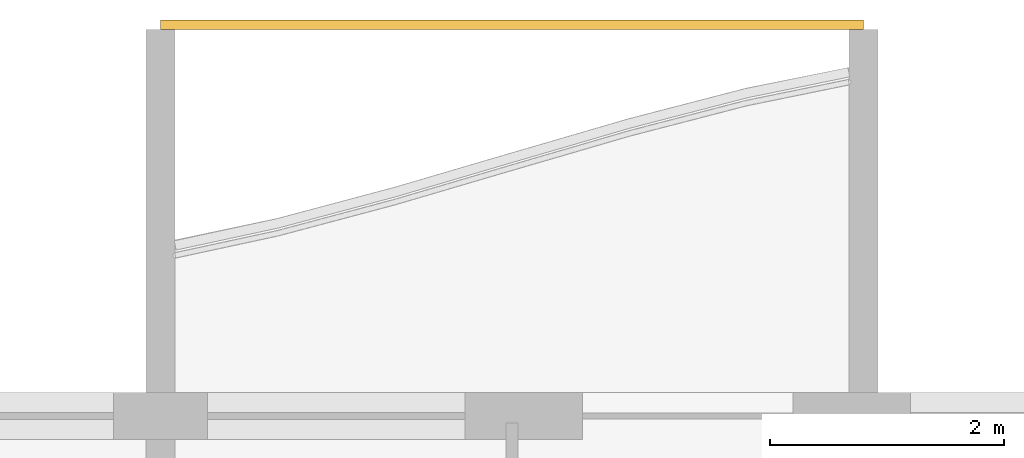
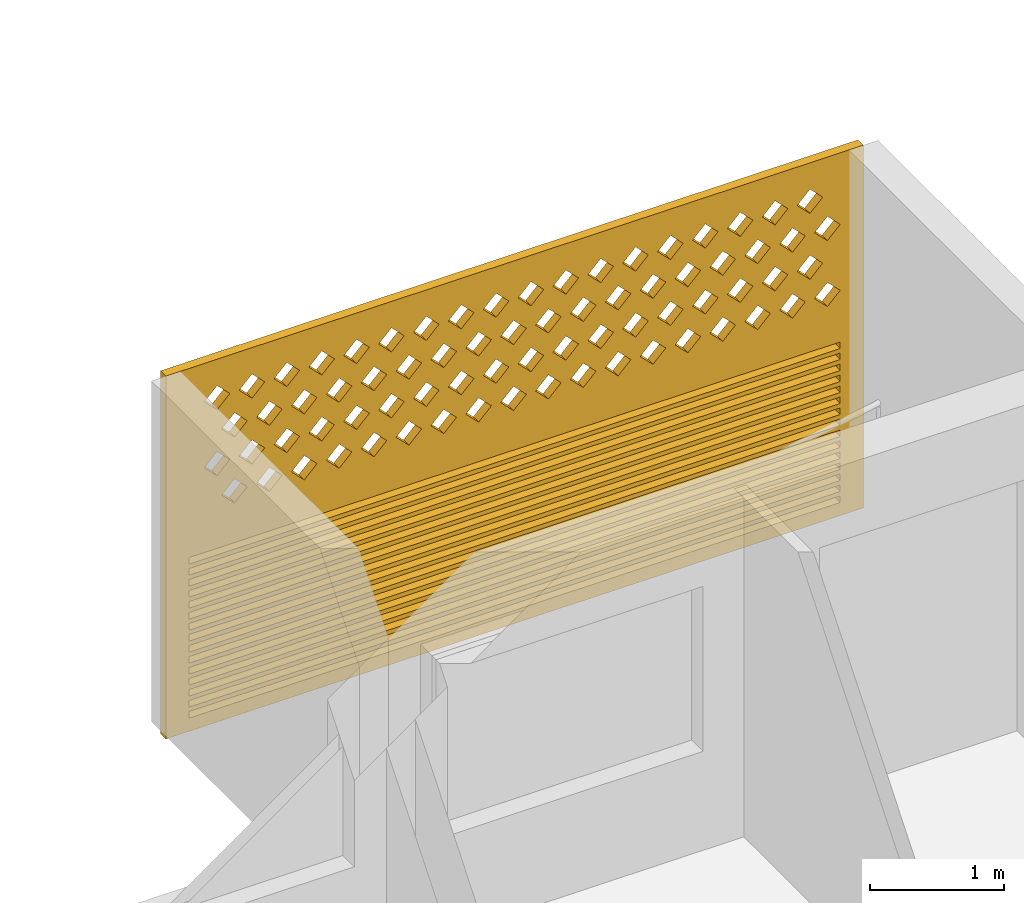
# One storey, part 23 of 27: 1 covering.
"""IFC4 building model written with IfcOpenShell, lengths in metres."""

import ifcopenshell
import ifcopenshell.guid

model = None  # the IFC model being written
_history = None  # IfcOwnerHistory: only IFC2X3 demands one
_inside = {}  # id of a spatial element -> (the spatial element, [elements in it])
_under = {}  # id of a project, library or spatial element -> (it, [spatial elements below it])
_declared = {}  # id of a project -> (the project, [libraries it declares])
_typed = {}  # id of a type object -> (the type object, [elements of that type])
_made_of = {}  # id of a material, layer set ... -> (it, [elements and type objects made of it])


def new_model(schema):
    """Start an empty IFC model of exactly this schema.

    Asked for "IFC4X3", IfcOpenShell would pick the latest addendum, in which some entities
    have other attributes; the version numbers below select the first issue.
    IFC2X3 requires an IfcOwnerHistory on every rooted entity: one is made here for all.
    """
    global model, _history
    if schema == "IFC4X3":
        model = ifcopenshell.file(schema_version=(4, 3, 0, 0))
    else:
        model = ifcopenshell.file(schema=schema)
    _inside.clear()
    _under.clear()
    _declared.clear()
    _typed.clear()
    _made_of.clear()
    _history = None
    if model.schema == "IFC2X3":
        org = make("IfcOrganization", Name="unknown")
        user = make(
            "IfcPersonAndOrganization",
            ThePerson=make("IfcPerson", FamilyName="unknown"),
            TheOrganization=org,
        )
        app = make(
            "IfcApplication",
            ApplicationDeveloper=org,
            Version="unknown",
            ApplicationFullName="unknown",
            ApplicationIdentifier="unknown",
        )
        _history = make(
            "IfcOwnerHistory",
            OwningUser=user,
            OwningApplication=app,
            ChangeAction="ADDED",
            CreationDate=0,
        )
    return model


def make(cls, **values):
    """One entity of the class cls with the attributes given. An attribute that is None is left unset."""
    return model.create_entity(
        cls, **{name: value for name, value in values.items() if value is not None}
    )


def rooted(cls, **values):
    """An entity with a GlobalId (a new one), such as an element, a storey or a relation."""
    return make(cls, GlobalId=ifcopenshell.guid.new(), OwnerHistory=_history, **values)


def si_unit(unit_type, name, prefix=None):
    """IfcSIUnit, for example si_unit("LENGTHUNIT", "METRE", prefix="MILLI")."""
    return make("IfcSIUnit", UnitType=unit_type, Prefix=prefix, Name=name)


def assignment(units):
    """IfcUnitAssignment: the units of a project."""
    return None if units is None else make("IfcUnitAssignment", Units=units)


def point(xyz):
    """IfcCartesianPoint."""
    return None if xyz is None else make("IfcCartesianPoint", Coordinates=xyz)


def direction(xyz):
    """IfcDirection."""
    return None if xyz is None else make("IfcDirection", DirectionRatios=xyz)


def frame(location, z_axis=None, x_axis=None):
    """IfcAxis2Placement3D, a coordinate frame: its origin and axes. An axis left out is left unset."""
    return make(
        "IfcAxis2Placement3D",
        Location=point(location),
        Axis=direction(z_axis),
        RefDirection=direction(x_axis),
    )


def origin():
    """The frame at (0, 0, 0) with its axes left unset."""
    return frame((0.0, 0.0, 0.0))


def place(relative_to, where):
    """IfcLocalPlacement: puts the frame where relative to a parent placement (None: the world)."""
    return make(
        "IfcLocalPlacement", PlacementRelTo=relative_to, RelativePlacement=where
    )


def context(
    kind, dimensions, precision=None, world=None, true_north=None, identifier=None
):
    """IfcGeometricRepresentationContext, for example the 3D "Model" context."""
    return make(
        "IfcGeometricRepresentationContext",
        ContextIdentifier=identifier,
        ContextType=kind,
        CoordinateSpaceDimension=dimensions,
        Precision=precision,
        WorldCoordinateSystem=world,
        TrueNorth=true_north,
    )


def subcontext(parent, identifier, kind, view, scale=None):
    """IfcGeometricRepresentationSubContext, for example "Body" below "Model"."""
    return make(
        "IfcGeometricRepresentationSubContext",
        ContextIdentifier=identifier,
        ContextType=kind,
        ParentContext=parent,
        TargetScale=scale,
        TargetView=view,
    )


def project(units=None, contexts=None):
    """IfcProject with its units and contexts."""
    return rooted(
        "IfcProject",
        Name="project",
        RepresentationContexts=contexts,
        UnitsInContext=assignment(units),
    )


def spatial(cls, under=None, at=None, **own):
    """A site, building, storey or space (cls), placed at a placement, below another one or the project."""
    s = rooted(cls, ObjectPlacement=at, **own)
    if under is not None:
        _under.setdefault(under.id(), (under, []))[1].append(s)
    return s


def polyline(points):
    """IfcPolyline through the points."""
    return make("IfcPolyline", Points=[point(p) for p in points])


def outline(outer, holes=None, kind="AREA"):
    """IfcArbitraryClosedProfileDef: a profile drawn as a closed curve; with holes, ...WithVoids."""
    if holes is None:
        return make("IfcArbitraryClosedProfileDef", ProfileType=kind, OuterCurve=outer)
    return make(
        "IfcArbitraryProfileDefWithVoids",
        ProfileType=kind,
        OuterCurve=outer,
        InnerCurves=holes,
    )


def extrude(swept, where, along, depth):
    """IfcExtrudedAreaSolid: the profile swept, set in the frame where, extruded along a direction by depth."""
    return make(
        "IfcExtrudedAreaSolid",
        SweptArea=swept,
        Position=where,
        ExtrudedDirection=direction(along),
        Depth=depth,
    )


def shape(context_of_items, identifier, shape_type, items):
    """IfcShapeRepresentation: the items that make up one representation, for example the "Body"."""
    return make(
        "IfcShapeRepresentation",
        ContextOfItems=context_of_items,
        RepresentationIdentifier=identifier,
        RepresentationType=shape_type,
        Items=items,
    )


def source(mapping_origin, context_of_items, identifier, shape_type, items):
    """IfcRepresentationMap: a shape defined once, which mapped items show again and again."""
    return make(
        "IfcRepresentationMap",
        MappingOrigin=mapping_origin,
        MappedRepresentation=shape(context_of_items, identifier, shape_type, items),
    )


def transform(
    local_origin,
    x_axis=None,
    y_axis=None,
    z_axis=None,
    scale=None,
    scale2=None,
    scale3=None,
    uniform=True,
):
    """IfcCartesianTransformationOperator3D, or its non-uniform kind. x_axis, y_axis, z_axis: its Axis1, 2, 3."""
    if uniform:
        return make(
            "IfcCartesianTransformationOperator3D",
            Axis1=direction(x_axis),
            Axis2=direction(y_axis),
            LocalOrigin=point(local_origin),
            Scale=scale,
            Axis3=direction(z_axis),
        )
    return make(
        "IfcCartesianTransformationOperator3DnonUniform",
        Axis1=direction(x_axis),
        Axis2=direction(y_axis),
        LocalOrigin=point(local_origin),
        Scale=scale,
        Axis3=direction(z_axis),
        Scale2=scale2,
        Scale3=scale3,
    )


def mapped(mapping_source, mapping_target):
    """IfcMappedItem: shows the shape of a source again, moved by a transform."""
    return make(
        "IfcMappedItem", MappingSource=mapping_source, MappingTarget=mapping_target
    )


def material(Name=None, Category=None):
    """IfcMaterial."""
    return make("IfcMaterial", Name=Name, Category=Category)


def material_profile(
    of_material, cross_section, Name=None, Category=None, Priority=None
):
    """IfcMaterialProfile: a cross section and its material."""
    return make(
        "IfcMaterialProfile",
        Name=Name,
        Material=of_material,
        Profile=cross_section,
        Priority=Priority,
        Category=Category,
    )


def profile_set(profiles, Name=None, composite=None):
    """IfcMaterialProfileSet."""
    return make(
        "IfcMaterialProfileSet",
        Name=Name,
        MaterialProfiles=profiles,
        CompositeProfile=composite,
    )


def made_of(thing, what):
    """Note that an element or type object is made of a material, layer set ...; save() writes the relation."""
    if what is not None:
        _made_of.setdefault(what.id(), (what, []))[1].append(thing)
    return thing


def type_object(cls, material=None, **own):
    """A type object (cls), such as IfcWallType, which elements share."""
    return made_of(rooted(cls, **own), material)


def element(
    cls,
    number,
    at=None,
    inside=None,
    cuts=None,
    type_object=None,
    material=None,
    context=None,
    identifier="Body",
    shape_type=None,
    held_by="IfcProductDefinitionShape",
    body=None,
    shapes=None,
    **own,
):
    """One element of the class cls, such as IfcWall. Its Tag is "e" and its number.

    at: its placement. inside: the storey or other place that contains it. cuts: it is an
    opening in that element (IfcRelVoidsElement). A single representation is given by context,
    identifier, shape_type and body (its items); several are given by shapes. held_by: the class
    of the entity that holds the representations. save() writes the other relations.
    """
    e = rooted(cls, Tag="e%d" % number, ObjectPlacement=at, **own)
    if body is not None:
        shapes = [shape(context, identifier, shape_type, body)]
    if shapes is not None:
        e.Representation = make(held_by, Representations=shapes)
    if inside is not None:
        _inside.setdefault(inside.id(), (inside, []))[1].append(e)
    if cuts is not None:
        rooted(
            "IfcRelVoidsElement", RelatingBuildingElement=cuts, RelatedOpeningElement=e
        )
    if type_object is not None:
        _typed.setdefault(type_object.id(), (type_object, []))[1].append(e)
    return made_of(e, material)


def aggregate(whole, parts):
    """IfcRelAggregates: a whole, such as a stair, and the parts it consists of."""
    return rooted("IfcRelAggregates", RelatingObject=whole, RelatedObjects=parts)


def save(model, path):
    """Write the relations noted so far, then the file.

    IfcRelAggregates (storeys below a building ...), IfcRelContainedInSpatialStructure (elements
    in a storey), IfcRelDefinesByType, IfcRelAssociatesMaterial and IfcRelDeclares: one each for
    every whole, place, type object, material and project.
    """
    for whole, parts in _under.values():
        aggregate(whole, parts)
    for where, things in _inside.values():
        rooted(
            "IfcRelContainedInSpatialStructure",
            RelatedElements=things,
            RelatingStructure=where,
        )
    for kind, things in _typed.values():
        rooted("IfcRelDefinesByType", RelatedObjects=things, RelatingType=kind)
    for what, things in _made_of.values():
        rooted("IfcRelAssociatesMaterial", RelatedObjects=things, RelatingMaterial=what)
    for by, libraries in _declared.values():
        rooted("IfcRelDeclares", RelatingContext=by, RelatedDefinitions=libraries)
    model.write(path)


model = new_model("IFC4")

# Units and contexts
model_context = context("Model", 3, precision=1e-05, world=origin(), true_north=direction((0.0, 1.0)))
body_context = subcontext(model_context, "Body", "Model", "MODEL_VIEW")
ifc_project = project(units=[si_unit("LENGTHUNIT", "METRE"), si_unit("AREAUNIT", "SQUARE_METRE"), si_unit("VOLUMEUNIT", "CUBIC_METRE"), si_unit("PLANEANGLEUNIT", "RADIAN"), si_unit("MASSUNIT", "GRAM", prefix="KILO")], contexts=[model_context])

# Site, building, storey
site_placement = place(None, origin())
site = spatial("IfcSite", under=ifc_project, at=site_placement, CompositionType="ELEMENT")
building_placement = place(site_placement, origin())
building = spatial("IfcBuilding", under=site, at=building_placement, Name="Poui Terraces", CompositionType="ELEMENT")
storey_placement = place(building_placement, frame((0.0, 0.0, 204.89990234375)))
storey = spatial("IfcBuildingStorey", under=building, at=storey_placement, Name="L57", CompositionType="ELEMENT", Elevation=204.89990234375)

# Covering
ifc_material = material(Name="Terracotta screen", Category="masonry")
ifc_material_profile = material_profile(ifc_material, outline(polyline([(-3.0, -1.64990234375), (3.0, -1.64990234375), (3.0, 1.64990234375), (-3.0, 1.64990234375), (-3.0, -1.64990234375)]), holes=[polyline([(-2.800048828125, 0.39990234375), (-2.68994140625, 0.2900390625), (-2.580078125, 0.39990234375), (-2.68994140625, 0.510009765625), (-2.800048828125, 0.39990234375)]), polyline([(-2.5, 0.39990234375), (-2.389892578125, 0.2900390625), (-2.280029296875, 0.39990234375), (-2.389892578125, 0.510009765625), (-2.5, 0.39990234375)]), polyline([(-2.199951171875, 0.39990234375), (-2.090087890625, 0.2900390625), (-1.97998046875, 0.39990234375), (-2.090087890625, 0.510009765625), (-2.199951171875, 0.39990234375)]), polyline([(-1.89990234375, 0.39990234375), (-1.7900390625, 0.2900390625), (-1.679931640625, 0.39990234375), (-1.7900390625, 0.510009765625), (-1.89990234375, 0.39990234375)]), polyline([(-1.60009765625, 0.39990234375), (-1.489990234375, 0.2900390625), (-1.3798828125, 0.39990234375), (-1.489990234375, 0.510009765625), (-1.60009765625, 0.39990234375)]), polyline([(-1.300048828125, 0.39990234375), (-1.18994140625, 0.2900390625), (-1.080078125, 0.39990234375), (-1.18994140625, 0.510009765625), (-1.300048828125, 0.39990234375)]), polyline([(-1.0, 0.39990234375), (-0.889892578125, 0.2900390625), (-0.780029296875, 0.39990234375), (-0.889892578125, 0.510009765625), (-1.0, 0.39990234375)]), polyline([(-0.699951171875, 0.39990234375), (-0.590087890625, 0.2900390625), (-0.47998046875, 0.39990234375), (-0.590087890625, 0.510009765625), (-0.699951171875, 0.39990234375)]), polyline([(-0.39990234375, 0.39990234375), (-0.2900390625, 0.2900390625), (-0.179931640625, 0.39990234375), (-0.2900390625, 0.510009765625), (-0.39990234375, 0.39990234375)]), polyline([(-0.10009765625, 0.39990234375), (0.010009765625, 0.2900390625), (0.1201171875, 0.39990234375), (0.010009765625, 0.510009765625), (-0.10009765625, 0.39990234375)]), polyline([(0.199951171875, 0.39990234375), (0.31005859375, 0.2900390625), (0.419921875, 0.39990234375), (0.31005859375, 0.510009765625), (0.199951171875, 0.39990234375)]), polyline([(0.5, 0.39990234375), (0.610107421875, 0.2900390625), (0.719970703125, 0.39990234375), (0.610107421875, 0.510009765625), (0.5, 0.39990234375)]), polyline([(0.800048828125, 0.39990234375), (0.909912109375, 0.2900390625), (1.02001953125, 0.39990234375), (0.909912109375, 0.510009765625), (0.800048828125, 0.39990234375)]), polyline([(1.10009765625, 0.39990234375), (1.2099609375, 0.2900390625), (1.320068359375, 0.39990234375), (1.2099609375, 0.510009765625), (1.10009765625, 0.39990234375)]), polyline([(1.39990234375, 0.39990234375), (1.510009765625, 0.2900390625), (1.6201171875, 0.39990234375), (1.510009765625, 0.510009765625), (1.39990234375, 0.39990234375)]), polyline([(1.699951171875, 0.39990234375), (1.81005859375, 0.2900390625), (1.919921875, 0.39990234375), (1.81005859375, 0.510009765625), (1.699951171875, 0.39990234375)]), polyline([(2.0, 0.39990234375), (2.110107421875, 0.2900390625), (2.219970703125, 0.39990234375), (2.110107421875, 0.510009765625), (2.0, 0.39990234375)]), polyline([(2.300048828125, 0.39990234375), (2.409912109375, 0.2900390625), (2.52001953125, 0.39990234375), (2.409912109375, 0.510009765625), (2.300048828125, 0.39990234375)]), polyline([(-2.64990234375, 0.699951171875), (-2.5400390625, 0.590087890625), (-2.429931640625, 0.699951171875), (-2.5400390625, 0.81005859375), (-2.64990234375, 0.699951171875)]), polyline([(-2.35009765625, 0.699951171875), (-2.239990234375, 0.590087890625), (-2.1298828125, 0.699951171875), (-2.239990234375, 0.81005859375), (-2.35009765625, 0.699951171875)]), polyline([(-2.050048828125, 0.699951171875), (-1.93994140625, 0.590087890625), (-1.830078125, 0.699951171875), (-1.93994140625, 0.81005859375), (-2.050048828125, 0.699951171875)]), polyline([(-1.75, 0.699951171875), (-1.639892578125, 0.590087890625), (-1.530029296875, 0.699951171875), (-1.639892578125, 0.81005859375), (-1.75, 0.699951171875)]), polyline([(-1.449951171875, 0.699951171875), (-1.340087890625, 0.590087890625), (-1.22998046875, 0.699951171875), (-1.340087890625, 0.81005859375), (-1.449951171875, 0.699951171875)]), polyline([(-1.14990234375, 0.699951171875), (-1.0400390625, 0.590087890625), (-0.929931640625, 0.699951171875), (-1.0400390625, 0.81005859375), (-1.14990234375, 0.699951171875)]), polyline([(-0.85009765625, 0.699951171875), (-0.739990234375, 0.590087890625), (-0.6298828125, 0.699951171875), (-0.739990234375, 0.81005859375), (-0.85009765625, 0.699951171875)]), polyline([(-0.550048828125, 0.699951171875), (-0.43994140625, 0.590087890625), (-0.330078125, 0.699951171875), (-0.43994140625, 0.81005859375), (-0.550048828125, 0.699951171875)]), polyline([(-0.25, 0.699951171875), (-0.139892578125, 0.590087890625), (-0.030029296875, 0.699951171875), (-0.139892578125, 0.81005859375), (-0.25, 0.699951171875)]), polyline([(0.050048828125, 0.699951171875), (0.159912109375, 0.590087890625), (0.27001953125, 0.699951171875), (0.159912109375, 0.81005859375), (0.050048828125, 0.699951171875)]), polyline([(0.35009765625, 0.699951171875), (0.4599609375, 0.590087890625), (0.570068359375, 0.699951171875), (0.4599609375, 0.81005859375), (0.35009765625, 0.699951171875)]), polyline([(0.64990234375, 0.699951171875), (0.760009765625, 0.590087890625), (0.8701171875, 0.699951171875), (0.760009765625, 0.81005859375), (0.64990234375, 0.699951171875)]), polyline([(0.949951171875, 0.699951171875), (1.06005859375, 0.590087890625), (1.169921875, 0.699951171875), (1.06005859375, 0.81005859375), (0.949951171875, 0.699951171875)]), polyline([(1.25, 0.699951171875), (1.360107421875, 0.590087890625), (1.469970703125, 0.699951171875), (1.360107421875, 0.81005859375), (1.25, 0.699951171875)]), polyline([(1.550048828125, 0.699951171875), (1.659912109375, 0.590087890625), (1.77001953125, 0.699951171875), (1.659912109375, 0.81005859375), (1.550048828125, 0.699951171875)]), polyline([(1.85009765625, 0.699951171875), (1.9599609375, 0.590087890625), (2.070068359375, 0.699951171875), (1.9599609375, 0.81005859375), (1.85009765625, 0.699951171875)]), polyline([(2.14990234375, 0.699951171875), (2.260009765625, 0.590087890625), (2.3701171875, 0.699951171875), (2.260009765625, 0.81005859375), (2.14990234375, 0.699951171875)]), polyline([(2.449951171875, 0.699951171875), (2.56005859375, 0.590087890625), (2.669921875, 0.699951171875), (2.56005859375, 0.81005859375), (2.449951171875, 0.699951171875)]), polyline([(-2.800048828125, 1.0), (-2.68994140625, 0.889892578125), (-2.580078125, 1.0), (-2.68994140625, 1.110107421875), (-2.800048828125, 1.0)]), polyline([(-2.5, 1.0), (-2.389892578125, 0.889892578125), (-2.280029296875, 1.0), (-2.389892578125, 1.110107421875), (-2.5, 1.0)]), polyline([(-2.199951171875, 1.0), (-2.090087890625, 0.889892578125), (-1.97998046875, 1.0), (-2.090087890625, 1.110107421875), (-2.199951171875, 1.0)]), polyline([(-1.89990234375, 1.0), (-1.7900390625, 0.889892578125), (-1.679931640625, 1.0), (-1.7900390625, 1.110107421875), (-1.89990234375, 1.0)]), polyline([(-1.60009765625, 1.0), (-1.489990234375, 0.889892578125), (-1.3798828125, 1.0), (-1.489990234375, 1.110107421875), (-1.60009765625, 1.0)]), polyline([(-1.300048828125, 1.0), (-1.18994140625, 0.889892578125), (-1.080078125, 1.0), (-1.18994140625, 1.110107421875), (-1.300048828125, 1.0)]), polyline([(-1.0, 1.0), (-0.889892578125, 0.889892578125), (-0.780029296875, 1.0), (-0.889892578125, 1.110107421875), (-1.0, 1.0)]), polyline([(-0.699951171875, 1.0), (-0.590087890625, 0.889892578125), (-0.47998046875, 1.0), (-0.590087890625, 1.110107421875), (-0.699951171875, 1.0)]), polyline([(-0.39990234375, 1.0), (-0.2900390625, 0.889892578125), (-0.179931640625, 1.0), (-0.2900390625, 1.110107421875), (-0.39990234375, 1.0)]), polyline([(-0.10009765625, 1.0), (0.010009765625, 0.889892578125), (0.1201171875, 1.0), (0.010009765625, 1.110107421875), (-0.10009765625, 1.0)]), polyline([(0.199951171875, 1.0), (0.31005859375, 0.889892578125), (0.419921875, 1.0), (0.31005859375, 1.110107421875), (0.199951171875, 1.0)]), polyline([(0.5, 1.0), (0.610107421875, 0.889892578125), (0.719970703125, 1.0), (0.610107421875, 1.110107421875), (0.5, 1.0)]), polyline([(0.800048828125, 1.0), (0.909912109375, 0.889892578125), (1.02001953125, 1.0), (0.909912109375, 1.110107421875), (0.800048828125, 1.0)]), polyline([(1.10009765625, 1.0), (1.2099609375, 0.889892578125), (1.320068359375, 1.0), (1.2099609375, 1.110107421875), (1.10009765625, 1.0)]), polyline([(1.39990234375, 1.0), (1.510009765625, 0.889892578125), (1.6201171875, 1.0), (1.510009765625, 1.110107421875), (1.39990234375, 1.0)]), polyline([(1.699951171875, 1.0), (1.81005859375, 0.889892578125), (1.919921875, 1.0), (1.81005859375, 1.110107421875), (1.699951171875, 1.0)]), polyline([(2.0, 1.0), (2.110107421875, 0.889892578125), (2.219970703125, 1.0), (2.110107421875, 1.110107421875), (2.0, 1.0)]), polyline([(2.300048828125, 1.0), (2.409912109375, 0.889892578125), (2.52001953125, 1.0), (2.409912109375, 1.110107421875), (2.300048828125, 1.0)]), polyline([(-2.64990234375, 1.300048828125), (-2.5400390625, 1.18994140625), (-2.429931640625, 1.300048828125), (-2.5400390625, 1.409912109375), (-2.64990234375, 1.300048828125)]), polyline([(-2.35009765625, 1.300048828125), (-2.239990234375, 1.18994140625), (-2.1298828125, 1.300048828125), (-2.239990234375, 1.409912109375), (-2.35009765625, 1.300048828125)]), polyline([(-2.050048828125, 1.300048828125), (-1.93994140625, 1.18994140625), (-1.830078125, 1.300048828125), (-1.93994140625, 1.409912109375), (-2.050048828125, 1.300048828125)]), polyline([(-1.75, 1.300048828125), (-1.639892578125, 1.18994140625), (-1.530029296875, 1.300048828125), (-1.639892578125, 1.409912109375), (-1.75, 1.300048828125)]), polyline([(-1.449951171875, 1.300048828125), (-1.340087890625, 1.18994140625), (-1.22998046875, 1.300048828125), (-1.340087890625, 1.409912109375), (-1.449951171875, 1.300048828125)]), polyline([(-1.14990234375, 1.300048828125), (-1.0400390625, 1.18994140625), (-0.929931640625, 1.300048828125), (-1.0400390625, 1.409912109375), (-1.14990234375, 1.300048828125)]), polyline([(-0.85009765625, 1.300048828125), (-0.739990234375, 1.18994140625), (-0.6298828125, 1.300048828125), (-0.739990234375, 1.409912109375), (-0.85009765625, 1.300048828125)]), polyline([(-0.550048828125, 1.300048828125), (-0.43994140625, 1.18994140625), (-0.330078125, 1.300048828125), (-0.43994140625, 1.409912109375), (-0.550048828125, 1.300048828125)]), polyline([(-0.25, 1.300048828125), (-0.139892578125, 1.18994140625), (-0.030029296875, 1.300048828125), (-0.139892578125, 1.409912109375), (-0.25, 1.300048828125)]), polyline([(0.050048828125, 1.300048828125), (0.159912109375, 1.18994140625), (0.27001953125, 1.300048828125), (0.159912109375, 1.409912109375), (0.050048828125, 1.300048828125)]), polyline([(0.35009765625, 1.300048828125), (0.4599609375, 1.18994140625), (0.570068359375, 1.300048828125), (0.4599609375, 1.409912109375), (0.35009765625, 1.300048828125)]), polyline([(0.64990234375, 1.300048828125), (0.760009765625, 1.18994140625), (0.8701171875, 1.300048828125), (0.760009765625, 1.409912109375), (0.64990234375, 1.300048828125)]), polyline([(0.949951171875, 1.300048828125), (1.06005859375, 1.18994140625), (1.169921875, 1.300048828125), (1.06005859375, 1.409912109375), (0.949951171875, 1.300048828125)]), polyline([(1.25, 1.300048828125), (1.360107421875, 1.18994140625), (1.469970703125, 1.300048828125), (1.360107421875, 1.409912109375), (1.25, 1.300048828125)]), polyline([(1.550048828125, 1.300048828125), (1.659912109375, 1.18994140625), (1.77001953125, 1.300048828125), (1.659912109375, 1.409912109375), (1.550048828125, 1.300048828125)]), polyline([(1.85009765625, 1.300048828125), (1.9599609375, 1.18994140625), (2.070068359375, 1.300048828125), (1.9599609375, 1.409912109375), (1.85009765625, 1.300048828125)]), polyline([(2.14990234375, 1.300048828125), (2.260009765625, 1.18994140625), (2.3701171875, 1.300048828125), (2.260009765625, 1.409912109375), (2.14990234375, 1.300048828125)]), polyline([(2.449951171875, 1.300048828125), (2.56005859375, 1.18994140625), (2.669921875, 1.300048828125), (2.56005859375, 1.409912109375), (2.449951171875, 1.300048828125)]), polyline([(-2.800048828125, -1.530029296875), (2.800048828125, -1.530029296875), (2.800048828125, -1.469970703125), (-2.800048828125, -1.469970703125), (-2.800048828125, -1.530029296875)]), polyline([(-2.800048828125, -1.429931640625), (2.800048828125, -1.429931640625), (2.800048828125, -1.3701171875), (-2.800048828125, -1.3701171875), (-2.800048828125, -1.429931640625)]), polyline([(-2.800048828125, -1.330078125), (2.800048828125, -1.330078125), (2.800048828125, -1.27001953125), (-2.800048828125, -1.27001953125), (-2.800048828125, -1.330078125)]), polyline([(-2.800048828125, -1.22998046875), (2.800048828125, -1.22998046875), (2.800048828125, -1.169921875), (-2.800048828125, -1.169921875), (-2.800048828125, -1.22998046875)]), polyline([(-2.800048828125, -1.1298828125), (2.800048828125, -1.1298828125), (2.800048828125, -1.070068359375), (-2.800048828125, -1.070068359375), (-2.800048828125, -1.1298828125)]), polyline([(-2.800048828125, -1.030029296875), (2.800048828125, -1.030029296875), (2.800048828125, -0.969970703125), (-2.800048828125, -0.969970703125), (-2.800048828125, -1.030029296875)]), polyline([(-2.800048828125, -0.929931640625), (2.800048828125, -0.929931640625), (2.800048828125, -0.8701171875), (-2.800048828125, -0.8701171875), (-2.800048828125, -0.929931640625)]), polyline([(-2.800048828125, -0.830078125), (2.800048828125, -0.830078125), (2.800048828125, -0.77001953125), (-2.800048828125, -0.77001953125), (-2.800048828125, -0.830078125)]), polyline([(-2.800048828125, -0.72998046875), (2.800048828125, -0.72998046875), (2.800048828125, -0.669921875), (-2.800048828125, -0.669921875), (-2.800048828125, -0.72998046875)]), polyline([(-2.800048828125, -0.6298828125), (2.800048828125, -0.6298828125), (2.800048828125, -0.570068359375), (-2.800048828125, -0.570068359375), (-2.800048828125, -0.6298828125)]), polyline([(-2.800048828125, -0.530029296875), (2.800048828125, -0.530029296875), (2.800048828125, -0.469970703125), (-2.800048828125, -0.469970703125), (-2.800048828125, -0.530029296875)]), polyline([(-2.800048828125, -0.429931640625), (2.800048828125, -0.429931640625), (2.800048828125, -0.3701171875), (-2.800048828125, -0.3701171875), (-2.800048828125, -0.429931640625)]), polyline([(-2.800048828125, -0.330078125), (2.800048828125, -0.330078125), (2.800048828125, -0.27001953125), (-2.800048828125, -0.27001953125), (-2.800048828125, -0.330078125)]), polyline([(-2.800048828125, -0.22998046875), (2.800048828125, -0.22998046875), (2.800048828125, -0.169921875), (-2.800048828125, -0.169921875), (-2.800048828125, -0.22998046875)]), polyline([(-2.800048828125, -0.1298828125), (2.800048828125, -0.1298828125), (2.800048828125, -0.070068359375), (-2.800048828125, -0.070068359375), (-2.800048828125, -0.1298828125)])]), Name="TERRACOTTA SCREEN AND JALOUSIE LOUVRE 6000X3300")
ifc_profile_set = profile_set([ifc_material_profile], Name="Terracotta screen")
covering_type = type_object("IfcCoveringType", Name="TERRACOTTA SCREEN AND JALOUSIE LOUVRE 6000X3300", PredefinedType="CLADDING", material=ifc_profile_set)
shared_shape = source(origin(), body_context, "Body", "SweptSolid", [
    extrude(outline(polyline([(-3.0, -1.64990234375), (3.0, -1.64990234375), (3.0, 1.64990234375), (-3.0, 1.64990234375), (-3.0, -1.64990234375)]), holes=[polyline([(-2.800048828125, 0.39990234375), (-2.68994140625, 0.2900390625), (-2.580078125, 0.39990234375), (-2.68994140625, 0.510009765625), (-2.800048828125, 0.39990234375)]), polyline([(-2.5, 0.39990234375), (-2.389892578125, 0.2900390625), (-2.280029296875, 0.39990234375), (-2.389892578125, 0.510009765625), (-2.5, 0.39990234375)]), polyline([(-2.199951171875, 0.39990234375), (-2.090087890625, 0.2900390625), (-1.97998046875, 0.39990234375), (-2.090087890625, 0.510009765625), (-2.199951171875, 0.39990234375)]), polyline([(-1.89990234375, 0.39990234375), (-1.7900390625, 0.2900390625), (-1.679931640625, 0.39990234375), (-1.7900390625, 0.510009765625), (-1.89990234375, 0.39990234375)]), polyline([(-1.60009765625, 0.39990234375), (-1.489990234375, 0.2900390625), (-1.3798828125, 0.39990234375), (-1.489990234375, 0.510009765625), (-1.60009765625, 0.39990234375)]), polyline([(-1.300048828125, 0.39990234375), (-1.18994140625, 0.2900390625), (-1.080078125, 0.39990234375), (-1.18994140625, 0.510009765625), (-1.300048828125, 0.39990234375)]), polyline([(-1.0, 0.39990234375), (-0.889892578125, 0.2900390625), (-0.780029296875, 0.39990234375), (-0.889892578125, 0.510009765625), (-1.0, 0.39990234375)]), polyline([(-0.699951171875, 0.39990234375), (-0.590087890625, 0.2900390625), (-0.47998046875, 0.39990234375), (-0.590087890625, 0.510009765625), (-0.699951171875, 0.39990234375)]), polyline([(-0.39990234375, 0.39990234375), (-0.2900390625, 0.2900390625), (-0.179931640625, 0.39990234375), (-0.2900390625, 0.510009765625), (-0.39990234375, 0.39990234375)]), polyline([(-0.10009765625, 0.39990234375), (0.010009765625, 0.2900390625), (0.1201171875, 0.39990234375), (0.010009765625, 0.510009765625), (-0.10009765625, 0.39990234375)]), polyline([(0.199951171875, 0.39990234375), (0.31005859375, 0.2900390625), (0.419921875, 0.39990234375), (0.31005859375, 0.510009765625), (0.199951171875, 0.39990234375)]), polyline([(0.5, 0.39990234375), (0.610107421875, 0.2900390625), (0.719970703125, 0.39990234375), (0.610107421875, 0.510009765625), (0.5, 0.39990234375)]), polyline([(0.800048828125, 0.39990234375), (0.909912109375, 0.2900390625), (1.02001953125, 0.39990234375), (0.909912109375, 0.510009765625), (0.800048828125, 0.39990234375)]), polyline([(1.10009765625, 0.39990234375), (1.2099609375, 0.2900390625), (1.320068359375, 0.39990234375), (1.2099609375, 0.510009765625), (1.10009765625, 0.39990234375)]), polyline([(1.39990234375, 0.39990234375), (1.510009765625, 0.2900390625), (1.6201171875, 0.39990234375), (1.510009765625, 0.510009765625), (1.39990234375, 0.39990234375)]), polyline([(1.699951171875, 0.39990234375), (1.81005859375, 0.2900390625), (1.919921875, 0.39990234375), (1.81005859375, 0.510009765625), (1.699951171875, 0.39990234375)]), polyline([(2.0, 0.39990234375), (2.110107421875, 0.2900390625), (2.219970703125, 0.39990234375), (2.110107421875, 0.510009765625), (2.0, 0.39990234375)]), polyline([(2.300048828125, 0.39990234375), (2.409912109375, 0.2900390625), (2.52001953125, 0.39990234375), (2.409912109375, 0.510009765625), (2.300048828125, 0.39990234375)]), polyline([(-2.64990234375, 0.699951171875), (-2.5400390625, 0.590087890625), (-2.429931640625, 0.699951171875), (-2.5400390625, 0.81005859375), (-2.64990234375, 0.699951171875)]), polyline([(-2.35009765625, 0.699951171875), (-2.239990234375, 0.590087890625), (-2.1298828125, 0.699951171875), (-2.239990234375, 0.81005859375), (-2.35009765625, 0.699951171875)]), polyline([(-2.050048828125, 0.699951171875), (-1.93994140625, 0.590087890625), (-1.830078125, 0.699951171875), (-1.93994140625, 0.81005859375), (-2.050048828125, 0.699951171875)]), polyline([(-1.75, 0.699951171875), (-1.639892578125, 0.590087890625), (-1.530029296875, 0.699951171875), (-1.639892578125, 0.81005859375), (-1.75, 0.699951171875)]), polyline([(-1.449951171875, 0.699951171875), (-1.340087890625, 0.590087890625), (-1.22998046875, 0.699951171875), (-1.340087890625, 0.81005859375), (-1.449951171875, 0.699951171875)]), polyline([(-1.14990234375, 0.699951171875), (-1.0400390625, 0.590087890625), (-0.929931640625, 0.699951171875), (-1.0400390625, 0.81005859375), (-1.14990234375, 0.699951171875)]), polyline([(-0.85009765625, 0.699951171875), (-0.739990234375, 0.590087890625), (-0.6298828125, 0.699951171875), (-0.739990234375, 0.81005859375), (-0.85009765625, 0.699951171875)]), polyline([(-0.550048828125, 0.699951171875), (-0.43994140625, 0.590087890625), (-0.330078125, 0.699951171875), (-0.43994140625, 0.81005859375), (-0.550048828125, 0.699951171875)]), polyline([(-0.25, 0.699951171875), (-0.139892578125, 0.590087890625), (-0.030029296875, 0.699951171875), (-0.139892578125, 0.81005859375), (-0.25, 0.699951171875)]), polyline([(0.050048828125, 0.699951171875), (0.159912109375, 0.590087890625), (0.27001953125, 0.699951171875), (0.159912109375, 0.81005859375), (0.050048828125, 0.699951171875)]), polyline([(0.35009765625, 0.699951171875), (0.4599609375, 0.590087890625), (0.570068359375, 0.699951171875), (0.4599609375, 0.81005859375), (0.35009765625, 0.699951171875)]), polyline([(0.64990234375, 0.699951171875), (0.760009765625, 0.590087890625), (0.8701171875, 0.699951171875), (0.760009765625, 0.81005859375), (0.64990234375, 0.699951171875)]), polyline([(0.949951171875, 0.699951171875), (1.06005859375, 0.590087890625), (1.169921875, 0.699951171875), (1.06005859375, 0.81005859375), (0.949951171875, 0.699951171875)]), polyline([(1.25, 0.699951171875), (1.360107421875, 0.590087890625), (1.469970703125, 0.699951171875), (1.360107421875, 0.81005859375), (1.25, 0.699951171875)]), polyline([(1.550048828125, 0.699951171875), (1.659912109375, 0.590087890625), (1.77001953125, 0.699951171875), (1.659912109375, 0.81005859375), (1.550048828125, 0.699951171875)]), polyline([(1.85009765625, 0.699951171875), (1.9599609375, 0.590087890625), (2.070068359375, 0.699951171875), (1.9599609375, 0.81005859375), (1.85009765625, 0.699951171875)]), polyline([(2.14990234375, 0.699951171875), (2.260009765625, 0.590087890625), (2.3701171875, 0.699951171875), (2.260009765625, 0.81005859375), (2.14990234375, 0.699951171875)]), polyline([(2.449951171875, 0.699951171875), (2.56005859375, 0.590087890625), (2.669921875, 0.699951171875), (2.56005859375, 0.81005859375), (2.449951171875, 0.699951171875)]), polyline([(-2.800048828125, 1.0), (-2.68994140625, 0.889892578125), (-2.580078125, 1.0), (-2.68994140625, 1.110107421875), (-2.800048828125, 1.0)]), polyline([(-2.5, 1.0), (-2.389892578125, 0.889892578125), (-2.280029296875, 1.0), (-2.389892578125, 1.110107421875), (-2.5, 1.0)]), polyline([(-2.199951171875, 1.0), (-2.090087890625, 0.889892578125), (-1.97998046875, 1.0), (-2.090087890625, 1.110107421875), (-2.199951171875, 1.0)]), polyline([(-1.89990234375, 1.0), (-1.7900390625, 0.889892578125), (-1.679931640625, 1.0), (-1.7900390625, 1.110107421875), (-1.89990234375, 1.0)]), polyline([(-1.60009765625, 1.0), (-1.489990234375, 0.889892578125), (-1.3798828125, 1.0), (-1.489990234375, 1.110107421875), (-1.60009765625, 1.0)]), polyline([(-1.300048828125, 1.0), (-1.18994140625, 0.889892578125), (-1.080078125, 1.0), (-1.18994140625, 1.110107421875), (-1.300048828125, 1.0)]), polyline([(-1.0, 1.0), (-0.889892578125, 0.889892578125), (-0.780029296875, 1.0), (-0.889892578125, 1.110107421875), (-1.0, 1.0)]), polyline([(-0.699951171875, 1.0), (-0.590087890625, 0.889892578125), (-0.47998046875, 1.0), (-0.590087890625, 1.110107421875), (-0.699951171875, 1.0)]), polyline([(-0.39990234375, 1.0), (-0.2900390625, 0.889892578125), (-0.179931640625, 1.0), (-0.2900390625, 1.110107421875), (-0.39990234375, 1.0)]), polyline([(-0.10009765625, 1.0), (0.010009765625, 0.889892578125), (0.1201171875, 1.0), (0.010009765625, 1.110107421875), (-0.10009765625, 1.0)]), polyline([(0.199951171875, 1.0), (0.31005859375, 0.889892578125), (0.419921875, 1.0), (0.31005859375, 1.110107421875), (0.199951171875, 1.0)]), polyline([(0.5, 1.0), (0.610107421875, 0.889892578125), (0.719970703125, 1.0), (0.610107421875, 1.110107421875), (0.5, 1.0)]), polyline([(0.800048828125, 1.0), (0.909912109375, 0.889892578125), (1.02001953125, 1.0), (0.909912109375, 1.110107421875), (0.800048828125, 1.0)]), polyline([(1.10009765625, 1.0), (1.2099609375, 0.889892578125), (1.320068359375, 1.0), (1.2099609375, 1.110107421875), (1.10009765625, 1.0)]), polyline([(1.39990234375, 1.0), (1.510009765625, 0.889892578125), (1.6201171875, 1.0), (1.510009765625, 1.110107421875), (1.39990234375, 1.0)]), polyline([(1.699951171875, 1.0), (1.81005859375, 0.889892578125), (1.919921875, 1.0), (1.81005859375, 1.110107421875), (1.699951171875, 1.0)]), polyline([(2.0, 1.0), (2.110107421875, 0.889892578125), (2.219970703125, 1.0), (2.110107421875, 1.110107421875), (2.0, 1.0)]), polyline([(2.300048828125, 1.0), (2.409912109375, 0.889892578125), (2.52001953125, 1.0), (2.409912109375, 1.110107421875), (2.300048828125, 1.0)]), polyline([(-2.64990234375, 1.300048828125), (-2.5400390625, 1.18994140625), (-2.429931640625, 1.300048828125), (-2.5400390625, 1.409912109375), (-2.64990234375, 1.300048828125)]), polyline([(-2.35009765625, 1.300048828125), (-2.239990234375, 1.18994140625), (-2.1298828125, 1.300048828125), (-2.239990234375, 1.409912109375), (-2.35009765625, 1.300048828125)]), polyline([(-2.050048828125, 1.300048828125), (-1.93994140625, 1.18994140625), (-1.830078125, 1.300048828125), (-1.93994140625, 1.409912109375), (-2.050048828125, 1.300048828125)]), polyline([(-1.75, 1.300048828125), (-1.639892578125, 1.18994140625), (-1.530029296875, 1.300048828125), (-1.639892578125, 1.409912109375), (-1.75, 1.300048828125)]), polyline([(-1.449951171875, 1.300048828125), (-1.340087890625, 1.18994140625), (-1.22998046875, 1.300048828125), (-1.340087890625, 1.409912109375), (-1.449951171875, 1.300048828125)]), polyline([(-1.14990234375, 1.300048828125), (-1.0400390625, 1.18994140625), (-0.929931640625, 1.300048828125), (-1.0400390625, 1.409912109375), (-1.14990234375, 1.300048828125)]), polyline([(-0.85009765625, 1.300048828125), (-0.739990234375, 1.18994140625), (-0.6298828125, 1.300048828125), (-0.739990234375, 1.409912109375), (-0.85009765625, 1.300048828125)]), polyline([(-0.550048828125, 1.300048828125), (-0.43994140625, 1.18994140625), (-0.330078125, 1.300048828125), (-0.43994140625, 1.409912109375), (-0.550048828125, 1.300048828125)]), polyline([(-0.25, 1.300048828125), (-0.139892578125, 1.18994140625), (-0.030029296875, 1.300048828125), (-0.139892578125, 1.409912109375), (-0.25, 1.300048828125)]), polyline([(0.050048828125, 1.300048828125), (0.159912109375, 1.18994140625), (0.27001953125, 1.300048828125), (0.159912109375, 1.409912109375), (0.050048828125, 1.300048828125)]), polyline([(0.35009765625, 1.300048828125), (0.4599609375, 1.18994140625), (0.570068359375, 1.300048828125), (0.4599609375, 1.409912109375), (0.35009765625, 1.300048828125)]), polyline([(0.64990234375, 1.300048828125), (0.760009765625, 1.18994140625), (0.8701171875, 1.300048828125), (0.760009765625, 1.409912109375), (0.64990234375, 1.300048828125)]), polyline([(0.949951171875, 1.300048828125), (1.06005859375, 1.18994140625), (1.169921875, 1.300048828125), (1.06005859375, 1.409912109375), (0.949951171875, 1.300048828125)]), polyline([(1.25, 1.300048828125), (1.360107421875, 1.18994140625), (1.469970703125, 1.300048828125), (1.360107421875, 1.409912109375), (1.25, 1.300048828125)]), polyline([(1.550048828125, 1.300048828125), (1.659912109375, 1.18994140625), (1.77001953125, 1.300048828125), (1.659912109375, 1.409912109375), (1.550048828125, 1.300048828125)]), polyline([(1.85009765625, 1.300048828125), (1.9599609375, 1.18994140625), (2.070068359375, 1.300048828125), (1.9599609375, 1.409912109375), (1.85009765625, 1.300048828125)]), polyline([(2.14990234375, 1.300048828125), (2.260009765625, 1.18994140625), (2.3701171875, 1.300048828125), (2.260009765625, 1.409912109375), (2.14990234375, 1.300048828125)]), polyline([(2.449951171875, 1.300048828125), (2.56005859375, 1.18994140625), (2.669921875, 1.300048828125), (2.56005859375, 1.409912109375), (2.449951171875, 1.300048828125)]), polyline([(-2.800048828125, -1.530029296875), (2.800048828125, -1.530029296875), (2.800048828125, -1.469970703125), (-2.800048828125, -1.469970703125), (-2.800048828125, -1.530029296875)]), polyline([(-2.800048828125, -1.429931640625), (2.800048828125, -1.429931640625), (2.800048828125, -1.3701171875), (-2.800048828125, -1.3701171875), (-2.800048828125, -1.429931640625)]), polyline([(-2.800048828125, -1.330078125), (2.800048828125, -1.330078125), (2.800048828125, -1.27001953125), (-2.800048828125, -1.27001953125), (-2.800048828125, -1.330078125)]), polyline([(-2.800048828125, -1.22998046875), (2.800048828125, -1.22998046875), (2.800048828125, -1.169921875), (-2.800048828125, -1.169921875), (-2.800048828125, -1.22998046875)]), polyline([(-2.800048828125, -1.1298828125), (2.800048828125, -1.1298828125), (2.800048828125, -1.070068359375), (-2.800048828125, -1.070068359375), (-2.800048828125, -1.1298828125)]), polyline([(-2.800048828125, -1.030029296875), (2.800048828125, -1.030029296875), (2.800048828125, -0.969970703125), (-2.800048828125, -0.969970703125), (-2.800048828125, -1.030029296875)]), polyline([(-2.800048828125, -0.929931640625), (2.800048828125, -0.929931640625), (2.800048828125, -0.8701171875), (-2.800048828125, -0.8701171875), (-2.800048828125, -0.929931640625)]), polyline([(-2.800048828125, -0.830078125), (2.800048828125, -0.830078125), (2.800048828125, -0.77001953125), (-2.800048828125, -0.77001953125), (-2.800048828125, -0.830078125)]), polyline([(-2.800048828125, -0.72998046875), (2.800048828125, -0.72998046875), (2.800048828125, -0.669921875), (-2.800048828125, -0.669921875), (-2.800048828125, -0.72998046875)]), polyline([(-2.800048828125, -0.6298828125), (2.800048828125, -0.6298828125), (2.800048828125, -0.570068359375), (-2.800048828125, -0.570068359375), (-2.800048828125, -0.6298828125)]), polyline([(-2.800048828125, -0.530029296875), (2.800048828125, -0.530029296875), (2.800048828125, -0.469970703125), (-2.800048828125, -0.469970703125), (-2.800048828125, -0.530029296875)]), polyline([(-2.800048828125, -0.429931640625), (2.800048828125, -0.429931640625), (2.800048828125, -0.3701171875), (-2.800048828125, -0.3701171875), (-2.800048828125, -0.429931640625)]), polyline([(-2.800048828125, -0.330078125), (2.800048828125, -0.330078125), (2.800048828125, -0.27001953125), (-2.800048828125, -0.27001953125), (-2.800048828125, -0.330078125)]), polyline([(-2.800048828125, -0.22998046875), (2.800048828125, -0.22998046875), (2.800048828125, -0.169921875), (-2.800048828125, -0.169921875), (-2.800048828125, -0.22998046875)]), polyline([(-2.800048828125, -0.1298828125), (2.800048828125, -0.1298828125), (2.800048828125, -0.070068359375), (-2.800048828125, -0.070068359375), (-2.800048828125, -0.1298828125)])]), origin(), (0.0, 0.0, 1.0), 0.080078125),
])
covering_placement = place(storey_placement, frame((51.0, 44.5, 1.4501953125), z_axis=(0.0, 1.0, 0.0), x_axis=(-1.0, 0.0, 0.0)))
element("IfcCovering", 1, at=covering_placement, inside=storey, type_object=covering_type, Name="SOLAR SCREEN AND JALOUSIE LOUVRE", PredefinedType="CLADDING", context=body_context, shape_type="MappedRepresentation", body=[
    mapped(shared_shape, transform((0.0, 0.0, 0.0))),
])

save(model, "model.ifc")
